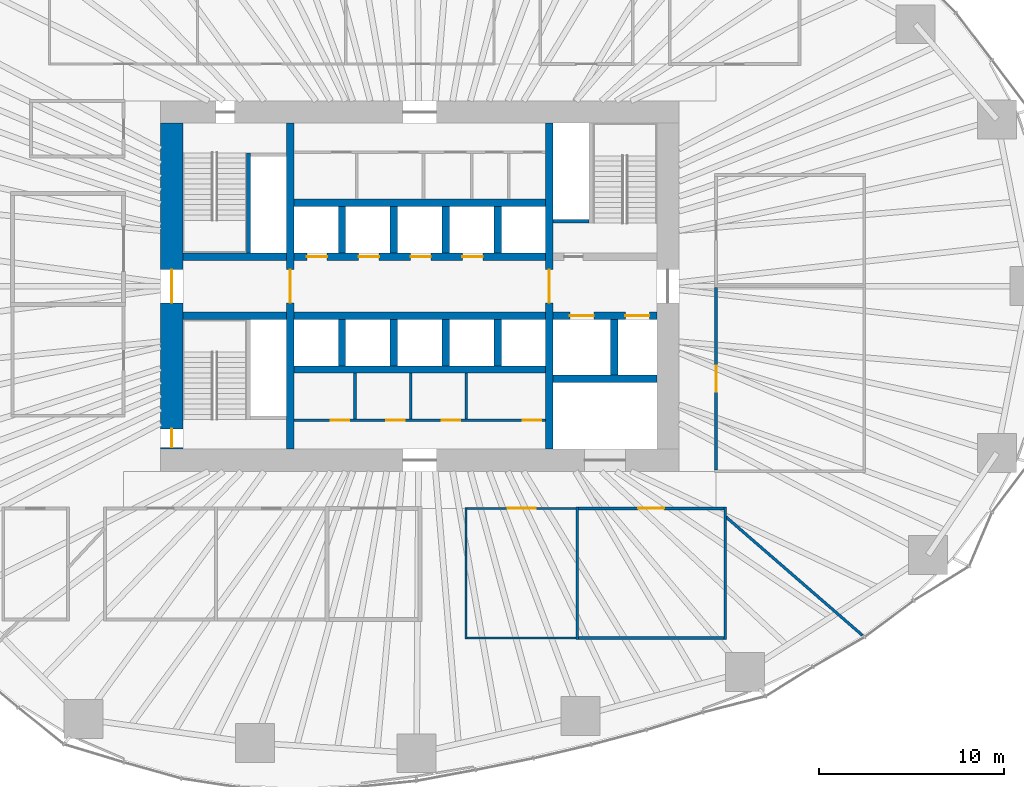
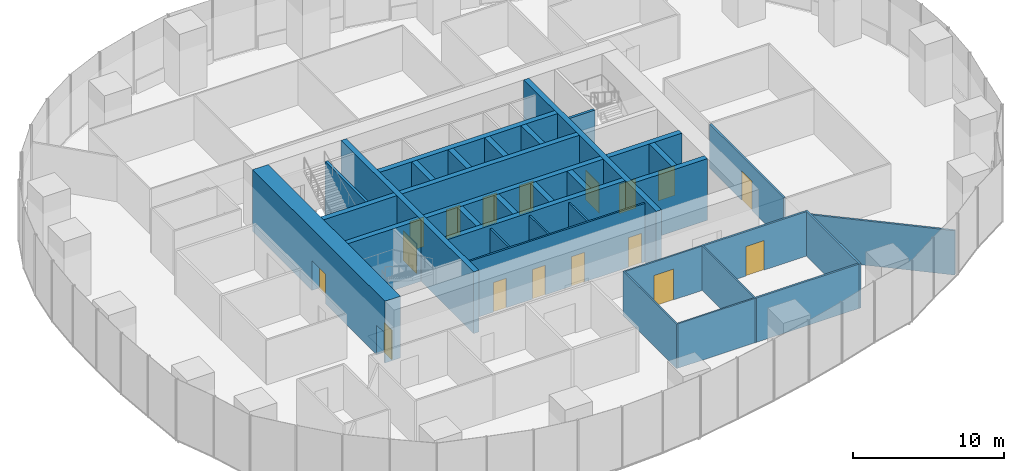
# One storey, part 10 of 20: 35 walls, 17 doors, 17 openings.
"""IFC4 building model written with IfcOpenShell, lengths in metres."""

from ifc_helpers import new_model, si_unit, direction, frame, frame_2d, origin, place, context, subcontext, project, spatial, rectangle, extrude, material, layer, layer_set, type_object, element, fill, save


model = new_model("IFC4")

# Units and contexts
model_context = context("Model", 3, precision=1e-05, world=origin(), true_north=direction((0.0, 1.0)))
body_context = subcontext(model_context, "Body", "Model", "MODEL_VIEW")
ifc_project = project(units=[si_unit("LENGTHUNIT", "METRE"), si_unit("AREAUNIT", "SQUARE_METRE"), si_unit("VOLUMEUNIT", "CUBIC_METRE"), si_unit("PLANEANGLEUNIT", "RADIAN"), si_unit("MASSUNIT", "GRAM", prefix="KILO")], contexts=[model_context])

# Site, building, storey
site_placement = place(None, origin())
site = spatial("IfcSite", under=ifc_project, at=site_placement, CompositionType="ELEMENT")
building_placement = place(site_placement, origin())
building = spatial("IfcBuilding", under=site, at=building_placement, Name="Ghaith Harvest Tower", CompositionType="ELEMENT")
storey_placement = place(building_placement, frame((0.0, 0.0, 35.0)))
storey = spatial("IfcBuildingStorey", under=building, at=storey_placement, Name="L07", CompositionType="ELEMENT", Elevation=35.0)

# Wall, openings, doors
ifc_material_1 = material(Name="Concrete blockwork, fair-faced", Category="masonry")
ifc_layer_1 = layer(ifc_material_1, 0.139892578125)
ifc_layer_set_1 = layer_set([ifc_layer_1], Name="CORE PARTITION 140")
wall_type_1 = type_object("IfcWallType", Name="CORE PARTITION 140", PredefinedType="PARTITIONING", material=ifc_layer_set_1)
wall_1_placement = place(storey_placement, frame((-6.800048828125, -7.22998046875, 0.0), z_axis=(0.0, 0.0, 1.0), x_axis=(1.0, 0.0, 0.0)))
wall_1 = element("IfcWall", 1, at=wall_1_placement, inside=storey, type_object=wall_type_1, Name="Core partition L07", PredefinedType="PARTITIONING", context=body_context, shape_type="SweptSolid", body=[
    extrude(rectangle(XDim=13.60009765625, YDim=0.139892578125, at=frame_2d((6.800048828125, 0.0))), origin(), (0.0, 0.0, 1.0), 4.75),
])
opening_1_placement = place(wall_1_placement, frame((1.97998046875, 0.0, 0.0)))
opening_1 = element("IfcOpeningElement", 2, at=opening_1_placement, cuts=wall_1, Name="Opening 07-013", PredefinedType="OPENING", context=body_context, shape_type="SweptSolid", body=[
    extrude(rectangle(XDim=1.0, YDim=2.39990234375, at=frame_2d((0.5, 1.199951171875))), frame((0.0, 0.080078125, 0.0), z_axis=(0.0, -1.0, 0.0), x_axis=(1.0, 0.0, 0.0)), (0.0, 0.0, 1.0), 0.159912109375),
])
opening_2_placement = place(wall_1_placement, frame((4.97998046875, 0.0, 0.0)))
opening_2 = element("IfcOpeningElement", 3, at=opening_2_placement, cuts=wall_1, Name="Opening 07-014", PredefinedType="OPENING", context=body_context, shape_type="SweptSolid", body=[
    extrude(rectangle(XDim=1.0, YDim=2.39990234375, at=frame_2d((0.5, 1.199951171875))), frame((0.0, 0.080078125, 0.0), z_axis=(0.0, -1.0, 0.0), x_axis=(1.0, 0.0, 0.0)), (0.0, 0.0, 1.0), 0.159912109375),
])
opening_3_placement = place(wall_1_placement, frame((7.97998046875, 0.0, 0.0)))
opening_3 = element("IfcOpeningElement", 4, at=opening_3_placement, cuts=wall_1, Name="Opening 07-015", PredefinedType="OPENING", context=body_context, shape_type="SweptSolid", body=[
    extrude(rectangle(XDim=1.0, YDim=2.39990234375, at=frame_2d((0.5, 1.199951171875))), frame((0.0, 0.080078125, 0.0), z_axis=(0.0, -1.0, 0.0), x_axis=(1.0, 0.0, 0.0)), (0.0, 0.0, 1.0), 0.159912109375),
])
opening_4_placement = place(wall_1_placement, frame((12.35009765625, 0.0, 0.0)))
opening_4 = element("IfcOpeningElement", 5, at=opening_4_placement, cuts=wall_1, Name="Opening 07-016", PredefinedType="OPENING", context=body_context, shape_type="SweptSolid", body=[
    extrude(rectangle(XDim=1.0, YDim=2.39990234375, at=frame_2d((0.5, 1.199951171875))), frame((0.0, 0.080078125, 0.0), z_axis=(0.0, -1.0, 0.0), x_axis=(1.0, 0.0, 0.0)), (0.0, 0.0, 1.0), 0.159912109375),
])
ifc_material_2 = material(Name="Steel fire door", Category="steel")
door_type_1 = type_object("IfcDoorType", Name="D3 FD90 1000x2400", OperationType="SINGLE_SWING_LEFT", PredefinedType="DOOR", material=ifc_material_2)
door_1_placement = place(opening_1_placement, origin())
door_1 = element("IfcDoor", 6, at=door_1_placement, inside=storey, type_object=door_type_1, Name="Electrical room door", OperationType="SINGLE_SWING_LEFT", OverallHeight=2.39990234375, OverallWidth=1.0, PredefinedType="DOOR", context=body_context, shape_type="SweptSolid", body=[
    extrude(rectangle(XDim=1.0, YDim=2.39990234375, at=frame_2d((0.5, 1.199951171875))), frame((0.0, 0.02490234375, 0.0), z_axis=(0.0, -1.0, 0.0), x_axis=(1.0, 0.0, 0.0)), (0.0, 0.0, 1.0), 0.050048828125),
])
fill(opening_1, door_1)
door_2_placement = place(opening_2_placement, origin())
door_2 = element("IfcDoor", 7, at=door_2_placement, inside=storey, type_object=door_type_1, Name="IT equipment room door", OperationType="SINGLE_SWING_LEFT", OverallHeight=2.39990234375, OverallWidth=1.0, PredefinedType="DOOR", context=body_context, shape_type="SweptSolid", body=[
    extrude(rectangle(XDim=1.0, YDim=2.39990234375, at=frame_2d((0.5, 1.199951171875))), frame((0.0, 0.02490234375, 0.0), z_axis=(0.0, -1.0, 0.0), x_axis=(1.0, 0.0, 0.0)), (0.0, 0.0, 1.0), 0.050048828125),
])
fill(opening_2, door_2)
door_3_placement = place(opening_3_placement, origin())
door_3 = element("IfcDoor", 8, at=door_3_placement, inside=storey, type_object=door_type_1, Name="Tea point door", OperationType="SINGLE_SWING_RIGHT", OverallHeight=2.39990234375, OverallWidth=1.0, PredefinedType="DOOR", context=body_context, shape_type="SweptSolid", body=[
    extrude(rectangle(XDim=1.0, YDim=2.39990234375, at=frame_2d((0.5, 1.199951171875))), frame((0.0, 0.02490234375, 0.0), z_axis=(0.0, -1.0, 0.0), x_axis=(1.0, 0.0, 0.0)), (0.0, 0.0, 1.0), 0.050048828125),
])
fill(opening_3, door_3)
door_4_placement = place(opening_4_placement, origin())
door_4 = element("IfcDoor", 9, at=door_4_placement, inside=storey, type_object=door_type_1, Name="Riser room door", OperationType="SINGLE_SWING_RIGHT", OverallHeight=2.39990234375, OverallWidth=1.0, PredefinedType="DOOR", context=body_context, shape_type="SweptSolid", body=[
    extrude(rectangle(XDim=1.0, YDim=2.39990234375, at=frame_2d((0.5, 1.199951171875))), frame((0.0, 0.02490234375, 0.0), z_axis=(0.0, -1.0, 0.0), x_axis=(1.0, 0.0, 0.0)), (0.0, 0.0, 1.0), 0.050048828125),
])
fill(opening_4, door_4)

# Walls
for number, where, z_axis, x_axis, name in (
    (10, (-3.5, -4.699951171875, 0.0), (0.0, 0.0, 1.0), (0.0, -1.0, 0.0), "Core partition L07"),
    (11, (-0.5, -4.699951171875, 0.0), (0.0, 0.0, 1.0), (0.0, -1.0, 0.0), "Core partition L07"),
    (12, (2.5, -4.699951171875, 0.0), (0.0, 0.0, 1.0), (0.0, -1.0, 0.0), "Core partition L07"),
):
    element("IfcWall", number, at=place(storey_placement, frame(where, z_axis=z_axis, x_axis=x_axis)), inside=storey, type_object=wall_type_1, Name=name, PredefinedType="PARTITIONING", context=body_context, shape_type="SweptSolid", body=[
        extrude(rectangle(XDim=2.4599609375, YDim=0.139892578125, at=frame_2d((1.22998046875, 0.0))), origin(), (0.0, 0.0, 1.0), 4.75),
    ])

# Wall, openings, doors
ifc_material_3 = material(Name="Concrete C70/85", Category="concrete")
ifc_layer_2 = layer(ifc_material_3, 1.199951171875)
ifc_layer_set_2 = layer_set([ifc_layer_2], Name="CORE WALL CW1200")
wall_type_2 = type_object("IfcWallType", Name="CORE WALL CW1200", PredefinedType="SHEAR", material=ifc_layer_set_2)
wall_2_placement = place(storey_placement, frame((-13.39990234375, 8.800048828125, 0.0), z_axis=(0.0, 0.0, 1.0), x_axis=(0.0, -1.0, 0.0)))
wall_2 = element("IfcWall", 13, at=wall_2_placement, inside=storey, type_object=wall_type_2, Name="Core wall W L07", PredefinedType="SHEAR", context=body_context, shape_type="SweptSolid", body=[
    extrude(rectangle(XDim=17.60009765625, YDim=1.199951171875, at=frame_2d((8.800048828125, 0.0))), origin(), (0.0, 0.0, 1.0), 5.0),
])
opening_5_placement = place(wall_2_placement, frame((7.89990234375, 0.0, 0.0)))
opening_5 = element("IfcOpeningElement", 14, at=opening_5_placement, cuts=wall_2, Name="Opening 07-001", PredefinedType="OPENING", context=body_context, shape_type="SweptSolid", body=[
    extrude(rectangle(XDim=1.800048828125, YDim=2.39990234375, at=frame_2d((0.89990234375, 1.199951171875))), frame((0.0, 0.60986328125, 0.0), z_axis=(0.0, -1.0, 0.0), x_axis=(1.0, 0.0, 0.0)), (0.0, 0.0, 1.0), 1.219970703125),
])
opening_6_placement = place(wall_2_placement, frame((16.5, 0.0, 0.0)))
opening_6 = element("IfcOpeningElement", 15, at=opening_6_placement, cuts=wall_2, Name="Opening 07-006", PredefinedType="OPENING", context=body_context, shape_type="SweptSolid", body=[
    extrude(rectangle(XDim=1.0, YDim=2.39990234375, at=frame_2d((0.5, 1.199951171875))), frame((0.0, 0.60986328125, 0.0), z_axis=(0.0, -1.0, 0.0), x_axis=(1.0, 0.0, 0.0)), (0.0, 0.0, 1.0), 1.219970703125),
])
door_5_placement = place(opening_6_placement, origin())
door_5 = element("IfcDoor", 16, at=door_5_placement, inside=storey, type_object=door_type_1, Name="Stair ST3 door", OperationType="SINGLE_SWING_RIGHT", OverallHeight=2.39990234375, OverallWidth=1.0, PredefinedType="DOOR", context=body_context, shape_type="SweptSolid", body=[
    extrude(rectangle(XDim=1.0, YDim=2.39990234375, at=frame_2d((0.5, 1.199951171875))), frame((0.0, 0.02490234375, 0.0), z_axis=(0.0, -1.0, 0.0), x_axis=(1.0, 0.0, 0.0)), (0.0, 0.0, 1.0), 0.050048828125),
])
fill(opening_6, door_5)
ifc_material_4 = material(Name="Steel fire door", Category="steel")
door_type_2 = type_object("IfcDoorType", Name="D4 FD90 PAIR 1800x2400", OperationType="DOUBLE_DOOR_SINGLE_SWING", PredefinedType="DOOR", material=ifc_material_4)
door_6_placement = place(opening_5_placement, origin())
door_6 = element("IfcDoor", 17, at=door_6_placement, inside=storey, type_object=door_type_2, Name="West lobby doors", OperationType="DOUBLE_DOOR_SINGLE_SWING", OverallHeight=2.39990234375, OverallWidth=1.800048828125, PredefinedType="DOOR", context=body_context, shape_type="SweptSolid", body=[
    extrude(rectangle(XDim=1.800048828125, YDim=2.39990234375, at=frame_2d((0.89990234375, 1.199951171875))), frame((0.0, 0.02490234375, 0.0), z_axis=(0.0, -1.0, 0.0), x_axis=(1.0, 0.0, 0.0)), (0.0, 0.0, 1.0), 0.050048828125),
])
fill(opening_5, door_6)

# Walls
ifc_material_5 = material(Name="Insulated food-grade panel", Category="steel")
ifc_layer_3 = layer(ifc_material_5, 0.1201171875)
ifc_layer_set_3 = layer_set([ifc_layer_3], Name="INSULATED PANEL WALL 120")
wall_type_3 = type_object("IfcWallType", Name="INSULATED PANEL WALL 120", PredefinedType="PARTITIONING", material=ifc_layer_set_3)
wall_3_placement = place(storey_placement, frame((2.5, -11.93994140625, 0.0), z_axis=(0.0, 0.0, 1.0), x_axis=(0.0, -1.0, 0.0)))
element("IfcWall", 18, at=wall_3_placement, inside=storey, type_object=wall_type_3, Name="Partition L07 row S5 cross wall 1", PredefinedType="PARTITIONING", context=body_context, shape_type="SweptSolid", body=[
    extrude(rectangle(XDim=7.1201171875, YDim=0.1201171875, at=frame_2d((3.56005859375, 0.0))), origin(), (0.0, 0.0, 1.0), 3.60009765625),
])
wall_4_placement = place(storey_placement, frame((8.5, -11.925048828125, 0.0), z_axis=(0.0, 0.0, 1.0), x_axis=(0.0, -1.0, 0.0)))
element("IfcWall", 19, at=wall_4_placement, inside=storey, type_object=wall_type_3, Name="Partition L07 row S5 cross wall 2", PredefinedType="PARTITIONING", context=body_context, shape_type="SweptSolid", body=[
    extrude(rectangle(XDim=7.14990234375, YDim=0.1201171875, at=frame_2d((3.574951171875, 0.0))), origin(), (0.0, 0.0, 1.0), 3.60009765625),
])

# Wall, opening, door
wall_5_placement = place(storey_placement, frame((2.56005859375, -12.0, 0.0), z_axis=(0.0, 0.0, 1.0), x_axis=(1.0, 0.0, 0.0)))
wall_5 = element("IfcWall", 20, at=wall_5_placement, inside=storey, type_object=wall_type_3, Name="Partition L07-10", PredefinedType="PARTITIONING", context=body_context, shape_type="SweptSolid", body=[
    extrude(rectangle(XDim=5.8798828125, YDim=0.1201171875, at=frame_2d((2.93994140625, 0.0))), origin(), (0.0, 0.0, 1.0), 3.60009765625),
])
opening_7_placement = place(wall_5_placement, frame((2.18994140625, 0.0, 0.0)))
opening_7 = element("IfcOpeningElement", 21, at=opening_7_placement, cuts=wall_5, Name="Opening 07-035", PredefinedType="OPENING", context=body_context, shape_type="SweptSolid", body=[
    extrude(rectangle(XDim=1.5, YDim=2.5, at=frame_2d((0.75, 1.25))), frame((0.0, 0.070068359375, 0.0), z_axis=(0.0, -1.0, 0.0), x_axis=(1.0, 0.0, 0.0)), (0.0, 0.0, 1.0), 0.14013671875),
])
ifc_material_6 = material(Name="Insulated steel sliding door", Category="steel")
door_type_3 = type_object("IfcDoorType", Name="D13 COLD STORE SLIDING 1500x2500", OperationType="SLIDING_TO_LEFT", PredefinedType="DOOR", material=ifc_material_6)
door_7_placement = place(opening_7_placement, origin())
door_7 = element("IfcDoor", 22, at=door_7_placement, inside=storey, type_object=door_type_3, Name="Cold store door", OperationType="SLIDING_TO_LEFT", OverallHeight=2.5, OverallWidth=1.5, PredefinedType="DOOR", context=body_context, shape_type="SweptSolid", body=[
    extrude(rectangle(XDim=1.5, YDim=2.5, at=frame_2d((0.75, 1.25))), frame((0.0, 0.02490234375, 0.0), z_axis=(0.0, -1.0, 0.0), x_axis=(1.0, 0.0, 0.0)), (0.0, 0.0, 1.0), 0.050048828125),
])
fill(opening_7, door_7)

# Wall
wall_6_placement = place(storey_placement, frame((2.56005859375, -19.0, 0.0), z_axis=(0.0, 0.0, 1.0), x_axis=(1.0, 0.0, 0.0)))
element("IfcWall", 23, at=wall_6_placement, inside=storey, type_object=wall_type_3, Name="Partition L07-10", PredefinedType="PARTITIONING", context=body_context, shape_type="SweptSolid", body=[
    extrude(rectangle(XDim=5.8798828125, YDim=0.1201171875, at=frame_2d((2.93994140625, 0.0))), origin(), (0.0, 0.0, 1.0), 3.60009765625),
])

# Wall, opening, door
ifc_material_7 = material(Name="Gypsum board on steel studs", Category="steel")
ifc_layer_4 = layer(ifc_material_7, 0.14990234375)
ifc_layer_set_4 = layer_set([ifc_layer_4], Name="PARTITION 150")
wall_type_4 = type_object("IfcWallType", Name="PARTITION 150", PredefinedType="PARTITIONING", material=ifc_layer_set_4)
wall_7_placement = place(storey_placement, frame((16.0, -9.925048828125, 0.0), z_axis=(0.0, 0.0, 1.0), x_axis=(0.0, 1.0, 0.0)))
wall_7 = element("IfcWall", 24, at=wall_7_placement, inside=storey, type_object=wall_type_4, Name="Partition L07-05", PredefinedType="PARTITIONING", context=body_context, shape_type="SweptSolid", body=[
    extrude(rectangle(XDim=9.85009765625, YDim=0.14990234375, at=frame_2d((4.925048828125, 0.0))), origin(), (0.0, 0.0, 1.0), 3.60009765625),
])
opening_8_placement = place(wall_7_placement, frame((4.22509765625, 0.0, 0.0)))
opening_8 = element("IfcOpeningElement", 25, at=opening_8_placement, cuts=wall_7, Name="Opening 07-030", PredefinedType="OPENING", context=body_context, shape_type="SweptSolid", body=[
    extrude(rectangle(XDim=1.39990234375, YDim=2.39990234375, at=frame_2d((0.699951171875, 1.199951171875))), frame((0.0, 0.0849609375, 0.0), z_axis=(0.0, -1.0, 0.0), x_axis=(1.0, 0.0, 0.0)), (0.0, 0.0, 1.0), 0.169921875),
])
ifc_material_8 = material(Name="Stainless steel faced door pair", Category="steel")
door_type_4 = type_object("IfcDoorType", Name="D14 HYGIENE PAIR 1400x2400", OperationType="DOUBLE_DOOR_DOUBLE_SWING", PredefinedType="DOOR", material=ifc_material_8)
door_8_placement = place(opening_8_placement, origin())
door_8 = element("IfcDoor", 26, at=door_8_placement, inside=storey, type_object=door_type_4, Name="Transplanting room door", OperationType="DOUBLE_DOOR_DOUBLE_SWING", OverallHeight=2.39990234375, OverallWidth=1.39990234375, PredefinedType="DOOR", context=body_context, shape_type="SweptSolid", body=[
    extrude(rectangle(XDim=1.39990234375, YDim=2.39990234375, at=frame_2d((0.699951171875, 1.199951171875))), frame((0.0, 0.02490234375, 0.0), z_axis=(0.0, -1.0, 0.0), x_axis=(1.0, 0.0, 0.0)), (0.0, 0.0, 1.0), 0.050048828125),
])
fill(opening_8, door_8)

# Wall
wall_8_placement = place(storey_placement, frame((16.5, -11.925048828125, 0.0), z_axis=(0.0, 0.0, 1.0), x_axis=(0.0, -1.0, 0.0)))
element("IfcWall", 27, at=wall_8_placement, inside=storey, type_object=wall_type_4, Name="Partition L07 row S5 cross wall 3", PredefinedType="PARTITIONING", context=body_context, shape_type="SweptSolid", body=[
    extrude(rectangle(XDim=7.14990234375, YDim=0.14990234375, at=frame_2d((3.574951171875, 0.0))), origin(), (0.0, 0.0, 1.0), 3.60009765625),
])

# Wall, opening, door
wall_9_placement = place(storey_placement, frame((8.56005859375, -12.0, 0.0), z_axis=(0.0, 0.0, 1.0), x_axis=(1.0, 0.0, 0.0)))
wall_9 = element("IfcWall", 28, at=wall_9_placement, inside=storey, type_object=wall_type_4, Name="Partition L07-11", PredefinedType="PARTITIONING", context=body_context, shape_type="SweptSolid", body=[
    extrude(rectangle(XDim=7.864990234375, YDim=0.14990234375, at=frame_2d((3.9326171875, 0.0))), origin(), (0.0, 0.0, 1.0), 3.60009765625),
])
opening_9_placement = place(wall_9_placement, frame((3.232421875, 0.0, 0.0)))
opening_9 = element("IfcOpeningElement", 29, at=opening_9_placement, cuts=wall_9, Name="Opening 07-036", PredefinedType="OPENING", context=body_context, shape_type="SweptSolid", body=[
    extrude(rectangle(XDim=1.39990234375, YDim=2.39990234375, at=frame_2d((0.699951171875, 1.199951171875))), frame((0.0, 0.0849609375, 0.0), z_axis=(0.0, -1.0, 0.0), x_axis=(1.0, 0.0, 0.0)), (0.0, 0.0, 1.0), 0.169921875),
])
door_9_placement = place(opening_9_placement, origin())
door_9 = element("IfcDoor", 30, at=door_9_placement, inside=storey, type_object=door_type_4, Name="Packing room door", OperationType="DOUBLE_DOOR_DOUBLE_SWING", OverallHeight=2.39990234375, OverallWidth=1.39990234375, PredefinedType="DOOR", context=body_context, shape_type="SweptSolid", body=[
    extrude(rectangle(XDim=1.39990234375, YDim=2.39990234375, at=frame_2d((0.699951171875, 1.199951171875))), frame((0.0, 0.02490234375, 0.0), z_axis=(0.0, -1.0, 0.0), x_axis=(1.0, 0.0, 0.0)), (0.0, 0.0, 1.0), 0.050048828125),
])
fill(opening_9, door_9)

# Walls
wall_10_placement = place(storey_placement, frame((8.56005859375, -19.0, 0.0), z_axis=(0.0, 0.0, 1.0), x_axis=(1.0, 0.0, 0.0)))
element("IfcWall", 31, at=wall_10_placement, inside=storey, type_object=wall_type_4, Name="Partition L07-11", PredefinedType="PARTITIONING", context=body_context, shape_type="SweptSolid", body=[
    extrude(rectangle(XDim=7.864990234375, YDim=0.14990234375, at=frame_2d((3.9326171875, 0.0))), origin(), (0.0, 0.0, 1.0), 3.60009765625),
])
wall_11_placement = place(storey_placement, frame((16.52001953125, -12.450927734375, 0.0), z_axis=(0.0, 0.0, 1.0), x_axis=(0.75543039702, -0.655228902947, 0.0)))
element("IfcWall", 32, at=wall_11_placement, inside=storey, type_object=wall_type_4, Name="Partition L07 zone division", PredefinedType="PARTITIONING", context=body_context, shape_type="SweptSolid", body=[
    extrude(rectangle(XDim=9.780029296875, YDim=0.14990234375, at=frame_2d((4.89013671875, 0.0))), origin(), (0.0, 0.0, 1.0), 3.60009765625),
])

# Wall, opening, door
ifc_material_9 = material(Name="Concrete C70/85", Category="concrete")
ifc_layer_5 = layer(ifc_material_9, 0.39990234375)
ifc_layer_set_5 = layer_set([ifc_layer_5], Name="SHAFT WALL 400")
wall_type_5 = type_object("IfcWallType", Name="SHAFT WALL 400", PredefinedType="SHEAR", material=ifc_layer_set_5)
wall_12_placement = place(storey_placement, frame((-7.0, -8.800048828125, 0.0), z_axis=(0.0, 0.0, 1.0), x_axis=(0.0, 1.0, 0.0)))
wall_12 = element("IfcWall", 33, at=wall_12_placement, inside=storey, type_object=wall_type_5, Name="Shaft wall W7W L07", PredefinedType="SHEAR", context=body_context, shape_type="SweptSolid", body=[
    extrude(rectangle(XDim=17.60009765625, YDim=0.39990234375, at=frame_2d((8.800048828125, 0.0))), origin(), (0.0, 0.0, 1.0), 5.0),
])
opening_10_placement = place(wall_12_placement, frame((7.89990234375, 0.0, 0.0)))
opening_10 = element("IfcOpeningElement", 34, at=opening_10_placement, cuts=wall_12, Name="Opening 07-003", PredefinedType="OPENING", context=body_context, shape_type="SweptSolid", body=[
    extrude(rectangle(XDim=1.800048828125, YDim=2.39990234375, at=frame_2d((0.89990234375, 1.199951171875))), frame((0.0, 0.2099609375, 0.0), z_axis=(0.0, -1.0, 0.0), x_axis=(1.0, 0.0, 0.0)), (0.0, 0.0, 1.0), 0.419921875),
])
door_10_placement = place(opening_10_placement, origin())
door_10 = element("IfcDoor", 35, at=door_10_placement, inside=storey, type_object=door_type_2, Name="Lift lobby doors, west", OperationType="DOUBLE_DOOR_SINGLE_SWING", OverallHeight=2.39990234375, OverallWidth=1.800048828125, PredefinedType="DOOR", context=body_context, shape_type="SweptSolid", body=[
    extrude(rectangle(XDim=1.800048828125, YDim=2.39990234375, at=frame_2d((0.89990234375, 1.199951171875))), frame((0.0, 0.02490234375, 0.0), z_axis=(0.0, -1.0, 0.0), x_axis=(1.0, 0.0, 0.0)), (0.0, 0.0, 1.0), 0.050048828125),
])
fill(opening_10, door_10)

wall_13_placement = place(storey_placement, frame((7.0, -8.800048828125, 0.0), z_axis=(0.0, 0.0, 1.0), x_axis=(0.0, 1.0, 0.0)))
wall_13 = element("IfcWall", 36, at=wall_13_placement, inside=storey, type_object=wall_type_5, Name="Shaft wall W7E L07", PredefinedType="SHEAR", context=body_context, shape_type="SweptSolid", body=[
    extrude(rectangle(XDim=17.60009765625, YDim=0.39990234375, at=frame_2d((8.800048828125, 0.0))), origin(), (0.0, 0.0, 1.0), 5.0),
])
opening_11_placement = place(wall_13_placement, frame((7.89990234375, 0.0, 0.0)))
opening_11 = element("IfcOpeningElement", 37, at=opening_11_placement, cuts=wall_13, Name="Opening 07-004", PredefinedType="OPENING", context=body_context, shape_type="SweptSolid", body=[
    extrude(rectangle(XDim=1.800048828125, YDim=2.39990234375, at=frame_2d((0.89990234375, 1.199951171875))), frame((0.0, 0.2099609375, 0.0), z_axis=(0.0, -1.0, 0.0), x_axis=(1.0, 0.0, 0.0)), (0.0, 0.0, 1.0), 0.419921875),
])
door_11_placement = place(opening_11_placement, origin())
door_11 = element("IfcDoor", 38, at=door_11_placement, inside=storey, type_object=door_type_2, Name="Lift lobby doors, east", OperationType="DOUBLE_DOOR_SINGLE_SWING", OverallHeight=2.39990234375, OverallWidth=1.800048828125, PredefinedType="DOOR", context=body_context, shape_type="SweptSolid", body=[
    extrude(rectangle(XDim=1.800048828125, YDim=2.39990234375, at=frame_2d((0.89990234375, 1.199951171875))), frame((0.0, 0.02490234375, 0.0), z_axis=(0.0, -1.0, 0.0), x_axis=(1.0, 0.0, 0.0)), (0.0, 0.0, 1.0), 0.050048828125),
])
fill(opening_11, door_11)

# Wall, openings, doors
wall_14_placement = place(storey_placement, frame((-6.800048828125, 1.60009765625, 0.0), z_axis=(0.0, 0.0, 1.0), x_axis=(1.0, 0.0, 0.0)))
wall_14 = element("IfcWall", 39, at=wall_14_placement, inside=storey, type_object=wall_type_5, Name="Shaft wall LN L07", PredefinedType="SHEAR", context=body_context, shape_type="SweptSolid", body=[
    extrude(rectangle(XDim=13.60009765625, YDim=0.39990234375, at=frame_2d((6.800048828125, 0.0))), origin(), (0.0, 0.0, 1.0), 5.0),
])
opening_12_placement = place(wall_14_placement, frame((0.699951171875, 0.0, 0.0)))
opening_12 = element("IfcOpeningElement", 40, at=opening_12_placement, cuts=wall_14, Name="Opening 07-019", PredefinedType="OPENING", context=body_context, shape_type="SweptSolid", body=[
    extrude(rectangle(XDim=1.10009765625, YDim=2.39990234375, at=frame_2d((0.550048828125, 1.199951171875))), frame((0.0, 0.2099609375, 0.0), z_axis=(0.0, -1.0, 0.0), x_axis=(1.0, 0.0, 0.0)), (0.0, 0.0, 1.0), 0.419921875),
])
opening_13_placement = place(wall_14_placement, frame((3.5, 0.0, 0.0)))
opening_13 = element("IfcOpeningElement", 41, at=opening_13_placement, cuts=wall_14, Name="Opening 07-020", PredefinedType="OPENING", context=body_context, shape_type="SweptSolid", body=[
    extrude(rectangle(XDim=1.10009765625, YDim=2.39990234375, at=frame_2d((0.550048828125, 1.199951171875))), frame((0.0, 0.2099609375, 0.0), z_axis=(0.0, -1.0, 0.0), x_axis=(1.0, 0.0, 0.0)), (0.0, 0.0, 1.0), 0.419921875),
])
opening_14_placement = place(wall_14_placement, frame((6.300048828125, 0.0, 0.0)))
opening_14 = element("IfcOpeningElement", 42, at=opening_14_placement, cuts=wall_14, Name="Opening 07-021", PredefinedType="OPENING", context=body_context, shape_type="SweptSolid", body=[
    extrude(rectangle(XDim=1.10009765625, YDim=2.39990234375, at=frame_2d((0.550048828125, 1.199951171875))), frame((0.0, 0.2099609375, 0.0), z_axis=(0.0, -1.0, 0.0), x_axis=(1.0, 0.0, 0.0)), (0.0, 0.0, 1.0), 0.419921875),
])
opening_15_placement = place(wall_14_placement, frame((9.10009765625, 0.0, 0.0)))
opening_15 = element("IfcOpeningElement", 43, at=opening_15_placement, cuts=wall_14, Name="Opening 07-022", PredefinedType="OPENING", context=body_context, shape_type="SweptSolid", body=[
    extrude(rectangle(XDim=1.10009765625, YDim=2.39990234375, at=frame_2d((0.550048828125, 1.199951171875))), frame((0.0, 0.2099609375, 0.0), z_axis=(0.0, -1.0, 0.0), x_axis=(1.0, 0.0, 0.0)), (0.0, 0.0, 1.0), 0.419921875),
])
ifc_material_10 = material(Name="Steel fire door", Category="steel")
door_type_5 = type_object("IfcDoorType", Name="LD1 LANDING 1100x2400", OperationType="DOUBLE_DOOR_SLIDING", PredefinedType="DOOR", material=ifc_material_10)
door_12_placement = place(opening_12_placement, origin())
door_12 = element("IfcDoor", 44, at=door_12_placement, inside=storey, type_object=door_type_5, Name="Landing door, lift FA1", OperationType="DOUBLE_DOOR_SLIDING", OverallHeight=2.39990234375, OverallWidth=1.10009765625, PredefinedType="DOOR", context=body_context, shape_type="SweptSolid", body=[
    extrude(rectangle(XDim=1.10009765625, YDim=2.39990234375, at=frame_2d((0.550048828125, 1.199951171875))), frame((0.0, 0.02490234375, 0.0), z_axis=(0.0, -1.0, 0.0), x_axis=(1.0, 0.0, 0.0)), (0.0, 0.0, 1.0), 0.050048828125),
])
fill(opening_12, door_12)
door_13_placement = place(opening_13_placement, origin())
door_13 = element("IfcDoor", 45, at=door_13_placement, inside=storey, type_object=door_type_5, Name="Landing door, lift FA2", OperationType="DOUBLE_DOOR_SLIDING", OverallHeight=2.39990234375, OverallWidth=1.10009765625, PredefinedType="DOOR", context=body_context, shape_type="SweptSolid", body=[
    extrude(rectangle(XDim=1.10009765625, YDim=2.39990234375, at=frame_2d((0.550048828125, 1.199951171875))), frame((0.0, 0.02490234375, 0.0), z_axis=(0.0, -1.0, 0.0), x_axis=(1.0, 0.0, 0.0)), (0.0, 0.0, 1.0), 0.050048828125),
])
fill(opening_13, door_13)
door_14_placement = place(opening_14_placement, origin())
door_14 = element("IfcDoor", 46, at=door_14_placement, inside=storey, type_object=door_type_5, Name="Landing door, lift FA3", OperationType="DOUBLE_DOOR_SLIDING", OverallHeight=2.39990234375, OverallWidth=1.10009765625, PredefinedType="DOOR", context=body_context, shape_type="SweptSolid", body=[
    extrude(rectangle(XDim=1.10009765625, YDim=2.39990234375, at=frame_2d((0.550048828125, 1.199951171875))), frame((0.0, 0.02490234375, 0.0), z_axis=(0.0, -1.0, 0.0), x_axis=(1.0, 0.0, 0.0)), (0.0, 0.0, 1.0), 0.050048828125),
])
fill(opening_14, door_14)
door_15_placement = place(opening_15_placement, origin())
door_15 = element("IfcDoor", 47, at=door_15_placement, inside=storey, type_object=door_type_5, Name="Landing door, lift FA4", OperationType="DOUBLE_DOOR_SLIDING", OverallHeight=2.39990234375, OverallWidth=1.10009765625, PredefinedType="DOOR", context=body_context, shape_type="SweptSolid", body=[
    extrude(rectangle(XDim=1.10009765625, YDim=2.39990234375, at=frame_2d((0.550048828125, 1.199951171875))), frame((0.0, 0.02490234375, 0.0), z_axis=(0.0, -1.0, 0.0), x_axis=(1.0, 0.0, 0.0)), (0.0, 0.0, 1.0), 0.050048828125),
])
fill(opening_15, door_15)

# Walls
for number, where, z_axis, x_axis, name in (
    (48, (-6.800048828125, -1.60009765625, 0.0), (0.0, 0.0, 1.0), (1.0, 0.0, 0.0), "Shaft wall LS L07"),
    (49, (-6.800048828125, 4.5, 0.0), (0.0, 0.0, 1.0), (1.0, 0.0, 0.0), "Shaft wall BN L07"),
    (50, (-6.800048828125, -4.5, 0.0), (0.0, 0.0, 1.0), (1.0, 0.0, 0.0), "Shaft wall BS L07"),
):
    element("IfcWall", number, at=place(storey_placement, frame(where, z_axis=z_axis, x_axis=x_axis)), inside=storey, type_object=wall_type_5, Name=name, PredefinedType="SHEAR", context=body_context, shape_type="SweptSolid", body=[
        extrude(rectangle(XDim=13.60009765625, YDim=0.39990234375, at=frame_2d((6.800048828125, 0.0))), origin(), (0.0, 0.0, 1.0), 5.0),
    ])
for number, where, z_axis, x_axis, name in (
    (51, (-12.800048828125, 1.60009765625, 0.0), (0.0, 0.0, 1.0), (1.0, 0.0, 0.0), "Shaft wall WN L07"),
    (52, (-12.800048828125, -1.60009765625, 0.0), (0.0, 0.0, 1.0), (1.0, 0.0, 0.0), "Shaft wall WS L07"),
):
    element("IfcWall", number, at=place(storey_placement, frame(where, z_axis=z_axis, x_axis=x_axis)), inside=storey, type_object=wall_type_5, Name=name, PredefinedType="SHEAR", context=body_context, shape_type="SweptSolid", body=[
        extrude(rectangle(XDim=5.60009765625, YDim=0.39990234375, at=frame_2d((2.800048828125, 0.0))), origin(), (0.0, 0.0, 1.0), 5.0),
    ])

# Wall, openings, doors
wall_15_placement = place(storey_placement, frame((7.199951171875, -1.60009765625, 0.0), z_axis=(0.0, 0.0, 1.0), x_axis=(1.0, 0.0, 0.0)))
wall_15 = element("IfcWall", 53, at=wall_15_placement, inside=storey, type_object=wall_type_5, Name="Shaft wall ES L07", PredefinedType="SHEAR", context=body_context, shape_type="SweptSolid", body=[
    extrude(rectangle(XDim=5.60009765625, YDim=0.39990234375, at=frame_2d((2.800048828125, 0.0))), origin(), (0.0, 0.0, 1.0), 5.0),
])
opening_16_placement = place(wall_15_placement, frame((0.89990234375, 0.0, 0.0)))
opening_16 = element("IfcOpeningElement", 54, at=opening_16_placement, cuts=wall_15, Name="Opening 07-023", PredefinedType="OPENING", context=body_context, shape_type="SweptSolid", body=[
    extrude(rectangle(XDim=1.300048828125, YDim=2.39990234375, at=frame_2d((0.64990234375, 1.199951171875))), frame((0.0, 0.2099609375, 0.0), z_axis=(0.0, -1.0, 0.0), x_axis=(1.0, 0.0, 0.0)), (0.0, 0.0, 1.0), 0.419921875),
])
opening_17_placement = place(wall_15_placement, frame((3.89990234375, 0.0, 0.0)))
opening_17 = element("IfcOpeningElement", 55, at=opening_17_placement, cuts=wall_15, Name="Opening 07-024", PredefinedType="OPENING", context=body_context, shape_type="SweptSolid", body=[
    extrude(rectangle(XDim=1.300048828125, YDim=2.39990234375, at=frame_2d((0.64990234375, 1.199951171875))), frame((0.0, 0.2099609375, 0.0), z_axis=(0.0, -1.0, 0.0), x_axis=(1.0, 0.0, 0.0)), (0.0, 0.0, 1.0), 0.419921875),
])
ifc_material_11 = material(Name="Steel fire door", Category="steel")
door_type_6 = type_object("IfcDoorType", Name="LD2 LANDING 1300x2400", OperationType="DOUBLE_DOOR_SLIDING", PredefinedType="DOOR", material=ifc_material_11)
door_16_placement = place(opening_16_placement, origin())
door_16 = element("IfcDoor", 56, at=door_16_placement, inside=storey, type_object=door_type_6, Name="Landing door, fire service lift FL1", OperationType="DOUBLE_DOOR_SLIDING", OverallHeight=2.39990234375, OverallWidth=1.300048828125, PredefinedType="DOOR", context=body_context, shape_type="SweptSolid", body=[
    extrude(rectangle(XDim=1.300048828125, YDim=2.39990234375, at=frame_2d((0.64990234375, 1.199951171875))), frame((0.0, 0.02490234375, 0.0), z_axis=(0.0, -1.0, 0.0), x_axis=(1.0, 0.0, 0.0)), (0.0, 0.0, 1.0), 0.050048828125),
])
fill(opening_16, door_16)
door_17_placement = place(opening_17_placement, origin())
door_17 = element("IfcDoor", 57, at=door_17_placement, inside=storey, type_object=door_type_6, Name="Landing door, fire service lift FL2", OperationType="DOUBLE_DOOR_SLIDING", OverallHeight=2.39990234375, OverallWidth=1.300048828125, PredefinedType="DOOR", context=body_context, shape_type="SweptSolid", body=[
    extrude(rectangle(XDim=1.300048828125, YDim=2.39990234375, at=frame_2d((0.64990234375, 1.199951171875))), frame((0.0, 0.02490234375, 0.0), z_axis=(0.0, -1.0, 0.0), x_axis=(1.0, 0.0, 0.0)), (0.0, 0.0, 1.0), 0.050048828125),
])
fill(opening_17, door_17)

# Walls
wall_16_placement = place(storey_placement, frame((10.5, -4.800048828125, 0.0), z_axis=(0.0, 0.0, 1.0), x_axis=(0.0, 1.0, 0.0)))
element("IfcWall", 58, at=wall_16_placement, inside=storey, type_object=wall_type_5, Name="Shaft wall FLD L07", PredefinedType="SHEAR", context=body_context, shape_type="SweptSolid", body=[
    extrude(rectangle(XDim=3.0, YDim=0.39990234375, at=frame_2d((1.5, 0.0))), origin(), (0.0, 0.0, 1.0), 5.0),
])
wall_17_placement = place(storey_placement, frame((7.199951171875, -5.0, 0.0), z_axis=(0.0, 0.0, 1.0), x_axis=(1.0, 0.0, 0.0)))
element("IfcWall", 59, at=wall_17_placement, inside=storey, type_object=wall_type_5, Name="Shaft wall FLB L07", PredefinedType="SHEAR", context=body_context, shape_type="SweptSolid", body=[
    extrude(rectangle(XDim=5.60009765625, YDim=0.39990234375, at=frame_2d((2.800048828125, 0.0))), origin(), (0.0, 0.0, 1.0), 5.0),
])
for number, where, z_axis, x_axis, name in (
    (60, (-4.199951171875, 1.800048828125, 0.0), (0.0, 0.0, 1.0), (0.0, 1.0, 0.0), "Shaft wall DN1 L07"),
    (61, (-4.199951171875, -4.300048828125, 0.0), (0.0, 0.0, 1.0), (0.0, 1.0, 0.0), "Shaft wall DS1 L07"),
    (62, (-1.39990234375, 1.800048828125, 0.0), (0.0, 0.0, 1.0), (0.0, 1.0, 0.0), "Shaft wall DN2 L07"),
    (63, (-1.39990234375, -4.300048828125, 0.0), (0.0, 0.0, 1.0), (0.0, 1.0, 0.0), "Shaft wall DS2 L07"),
    (64, (1.39990234375, 1.800048828125, 0.0), (0.0, 0.0, 1.0), (0.0, 1.0, 0.0), "Shaft wall DN3 L07"),
    (65, (1.39990234375, -4.300048828125, 0.0), (0.0, 0.0, 1.0), (0.0, 1.0, 0.0), "Shaft wall DS3 L07"),
    (66, (4.199951171875, 1.800048828125, 0.0), (0.0, 0.0, 1.0), (0.0, 1.0, 0.0), "Shaft wall DN4 L07"),
    (67, (4.199951171875, -4.300048828125, 0.0), (0.0, 0.0, 1.0), (0.0, 1.0, 0.0), "Shaft wall DS4 L07"),
):
    element("IfcWall", number, at=place(storey_placement, frame(where, z_axis=z_axis, x_axis=x_axis)), inside=storey, type_object=wall_type_5, Name=name, PredefinedType="SHEAR", context=body_context, shape_type="SweptSolid", body=[
        extrude(rectangle(XDim=2.5, YDim=0.39990234375, at=frame_2d((1.25, 0.0))), origin(), (0.0, 0.0, 1.0), 5.0),
    ])
ifc_material_12 = material(Name="Concrete C40/50", Category="concrete")
ifc_layer_6 = layer(ifc_material_12, 0.199951171875)
ifc_layer_set_6 = layer_set([ifc_layer_6], Name="STAIR SPINE WALL RC200")
wall_type_6 = type_object("IfcWallType", Name="STAIR SPINE WALL RC200", PredefinedType="SOLIDWALL", material=ifc_layer_set_6)
wall_18_placement = place(storey_placement, frame((-9.25, 7.199951171875, 0.0), z_axis=(0.0, 0.0, 1.0), x_axis=(0.0, -1.0, 0.0)))
element("IfcWall", 68, at=wall_18_placement, inside=storey, type_object=wall_type_6, Name="Stair ST1 spine wall L07", PredefinedType="SOLIDWALL", context=body_context, shape_type="SweptSolid", body=[
    extrude(rectangle(XDim=5.39990234375, YDim=0.199951171875, at=frame_2d((2.699951171875, 0.0))), origin(), (0.0, 0.0, 1.0), 5.0),
])
wall_19_placement = place(storey_placement, frame((9.14990234375, 3.5, 0.0), z_axis=(0.0, 0.0, 1.0), x_axis=(-1.0, 0.0, 0.0)))
element("IfcWall", 69, at=wall_19_placement, inside=storey, type_object=wall_type_6, Name="Stair ST2 spine wall return L07", PredefinedType="SOLIDWALL", context=body_context, shape_type="SweptSolid", body=[
    extrude(rectangle(XDim=1.949951171875, YDim=0.199951171875, at=frame_2d((0.97509765625, 0.0))), origin(), (0.0, 0.0, 1.0), 5.0),
])

save(model, "model.ifc")
